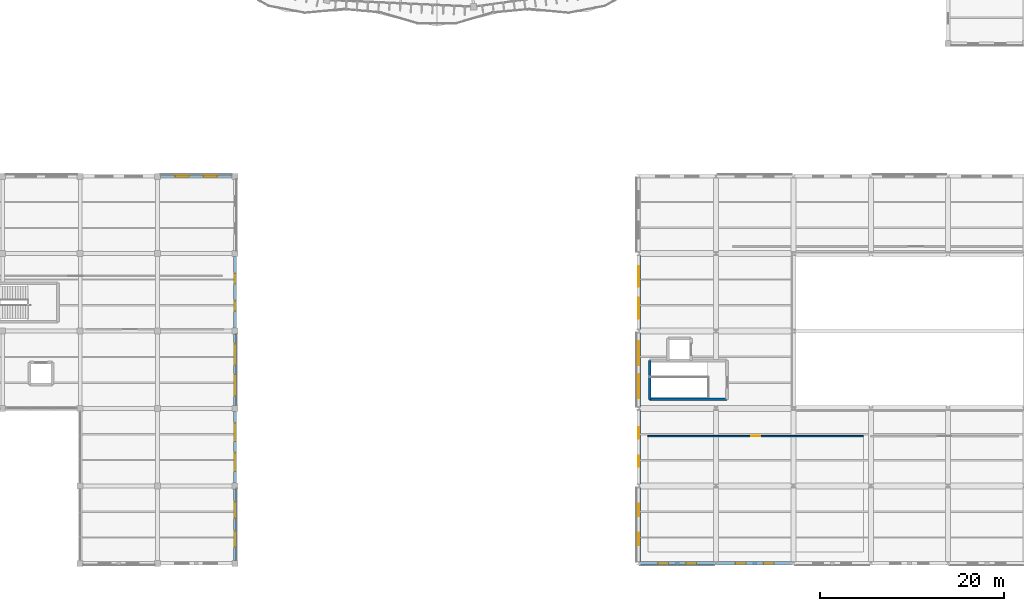
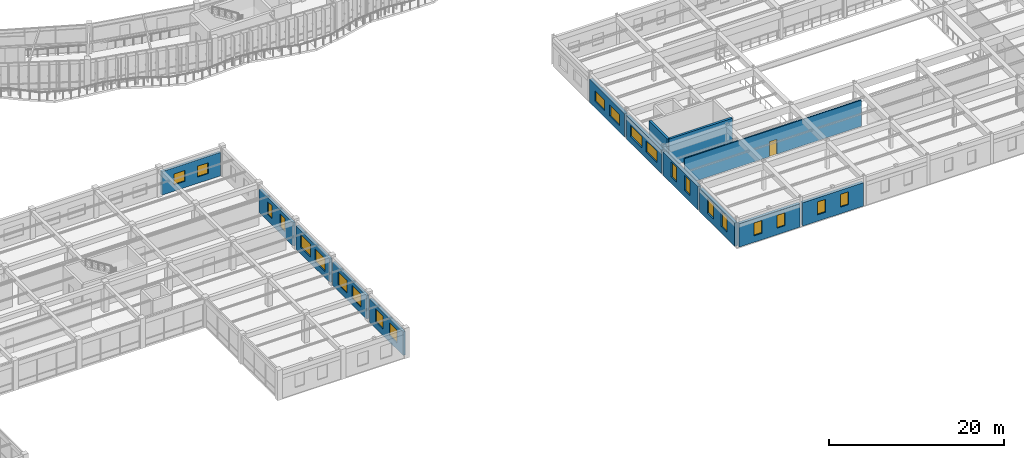
# One storey, part 111 of 138: 22 windows, 14 walls, 1 door, 23 openings.
"""IFC4 building model written with IfcOpenShell, lengths in metres."""

from ifc_helpers import new_model, si_unit, direction, frame, frame_2d, origin, place, context, subcontext, project, spatial, rectangle, extrude, material, layer, layer_set, type_object, element, fill, save


model = new_model("IFC4")

# Units and contexts
model_context = context("Model", 3, precision=1e-05, world=origin(), true_north=direction((0.0, 1.0)))
body_context = subcontext(model_context, "Body", "Model", "MODEL_VIEW")
ifc_project = project(units=[si_unit("LENGTHUNIT", "METRE"), si_unit("AREAUNIT", "SQUARE_METRE"), si_unit("VOLUMEUNIT", "CUBIC_METRE"), si_unit("PLANEANGLEUNIT", "RADIAN"), si_unit("MASSUNIT", "GRAM", prefix="KILO"), si_unit("THERMODYNAMICTEMPERATUREUNIT", "KELVIN"), si_unit("POWERUNIT", "WATT")], contexts=[model_context])

# Site, building, storey
site_placement = place(None, origin())
site = spatial("IfcSite", under=ifc_project, at=site_placement, CompositionType="ELEMENT")
building_placement = place(site_placement, origin())
building = spatial("IfcBuilding", under=site, at=building_placement, Name="Darbajah Civic Hall", CompositionType="ELEMENT")
storey_placement = place(building_placement, frame((0.0, 0.0, 9.60009765625)))
storey = spatial("IfcBuildingStorey", under=building, at=storey_placement, Name="L02", CompositionType="ELEMENT", Elevation=9.60009765625)

# Walls
ifc_material_1 = material(Name="Concrete C45/55", Category="concrete")
ifc_layer_1 = layer(ifc_material_1, 0.300048828125, Name="Concrete C45/55")
ifc_layer_set_1 = layer_set([ifc_layer_1], Name="Concrete C45/55")
wall_type_1 = type_object("IfcWallType", Name="Core Shear Wall 300mm", PredefinedType="SHEAR", material=ifc_layer_set_1)
wall_1_placement = place(storey_placement, frame((112.199951171875, 17.800048828125, 0.0), z_axis=(0.0, 0.0, 1.0), x_axis=(1.0, 0.0, 0.0)))
element("IfcWall", 1, at=wall_1_placement, inside=storey, type_object=wall_type_1, Name="L02 core C06 shear wall S", PredefinedType="SHEAR", context=body_context, shape_type="SweptSolid", body=[
    extrude(rectangle(XDim=8.400146484375, YDim=0.300048828125, at=frame_2d((4.2001953125, 0.0))), origin(), (0.0, 0.0, 1.0), 3.919921875),
])
wall_2_placement = place(storey_placement, frame((112.199951171875, 22.0, 0.0), z_axis=(0.0, 0.0, 1.0), x_axis=(0.0, -1.0, 0.0)))
element("IfcWall", 2, at=wall_2_placement, inside=storey, type_object=wall_type_1, Name="L02 core C06 shear wall W", PredefinedType="SHEAR", context=body_context, shape_type="SweptSolid", body=[
    extrude(rectangle(XDim=4.199951171875, YDim=0.300048828125, at=frame_2d((2.10009765625, 0.0))), origin(), (0.0, 0.0, 1.0), 3.919921875),
])

# Wall, openings, windows
ifc_material_2 = material(Name="Red Dholpur Sandstone Cladding", Category="masonry")
ifc_layer_2 = layer(ifc_material_2, 0.31005859375, Name="Red Dholpur Sandstone Cladding")
ifc_layer_set_2 = layer_set([ifc_layer_2], Name="Red Dholpur Sandstone Cladding")
wall_type_2 = type_object("IfcWallType", Name="Exterior Wall 310mm", PredefinedType="SOLIDWALL", material=ifc_layer_set_2)
wall_3_placement = place(storey_placement, frame((67.199951171875, 0.326904296875, 0.0), z_axis=(0.0, 0.0, 1.0), x_axis=(0.0, 1.0, 0.0)))
wall_3 = element("IfcWall", 3, at=wall_3_placement, inside=storey, type_object=wall_type_2, Name="L02 exterior wall EW-310", PredefinedType="SOLIDWALL", context=body_context, shape_type="SweptSolid", body=[
    extrude(rectangle(XDim=7.74609375, YDim=0.31005859375, at=frame_2d((3.873046875, 0.0))), origin(), (0.0, 0.0, 1.0), 3.289794921875),
])
opening_1_placement = place(wall_3_placement, frame((1.415283203125, 0.0, 0.89990234375)))
opening_1 = element("IfcOpeningElement", 4, at=opening_1_placement, cuts=wall_3, Name="Opening WN-20", PredefinedType="OPENING", context=body_context, shape_type="SweptSolid", body=[
    extrude(rectangle(XDim=1.75, YDim=1.800048828125, at=frame_2d((0.875, 0.89990234375))), frame((0.0, 0.1650390625, 0.0), z_axis=(0.0, -1.0, 0.0), x_axis=(1.0, 0.0, 0.0)), (0.0, 0.0, 1.0), 0.330078125),
])
opening_2_placement = place(wall_3_placement, frame((4.580810546875, 0.0, 0.89990234375)))
opening_2 = element("IfcOpeningElement", 5, at=opening_2_placement, cuts=wall_3, Name="Opening WN-20", PredefinedType="OPENING", context=body_context, shape_type="SweptSolid", body=[
    extrude(rectangle(XDim=1.75, YDim=1.800048828125, at=frame_2d((0.875, 0.89990234375))), frame((0.0, 0.1650390625, 0.0), z_axis=(0.0, -1.0, 0.0), x_axis=(1.0, 0.0, 0.0)), (0.0, 0.0, 1.0), 0.330078125),
])
ifc_material_3 = material(Name="Low-E Solar Control Double Glazing", Category="glass")
window_type_1 = type_object("IfcWindowType", Name="Facade Window 1750x1800", PartitioningType="DOUBLE_PANEL_VERTICAL", PredefinedType="WINDOW", material=ifc_material_3)
window_1_placement = place(opening_1_placement, origin())
window_1 = element("IfcWindow", 6, at=window_1_placement, inside=storey, type_object=window_type_1, Name="L02 facade window WN-20", OverallHeight=1.800048828125, OverallWidth=1.75, PartitioningType="SINGLE_PANEL", PredefinedType="WINDOW", context=body_context, shape_type="SweptSolid", body=[
    extrude(rectangle(XDim=1.75, YDim=1.800048828125, at=frame_2d((0.875, 0.89990234375))), frame((0.0, 0.030029296875, 0.0), z_axis=(0.0, -1.0, 0.0), x_axis=(1.0, 0.0, 0.0)), (0.0, 0.0, 1.0), 0.06005859375),
])
fill(opening_1, window_1)
window_2_placement = place(opening_2_placement, origin())
window_2 = element("IfcWindow", 7, at=window_2_placement, inside=storey, type_object=window_type_1, Name="L02 facade window WN-20", OverallHeight=1.800048828125, OverallWidth=1.75, PartitioningType="SINGLE_PANEL", PredefinedType="WINDOW", context=body_context, shape_type="SweptSolid", body=[
    extrude(rectangle(XDim=1.75, YDim=1.800048828125, at=frame_2d((0.875, 0.89990234375))), frame((0.0, 0.030029296875, 0.0), z_axis=(0.0, -1.0, 0.0), x_axis=(1.0, 0.0, 0.0)), (0.0, 0.0, 1.0), 0.06005859375),
])
fill(opening_2, window_2)

wall_4_placement = place(storey_placement, frame((67.199951171875, 8.72705078125, 0.0), z_axis=(0.0, 0.0, 1.0), x_axis=(0.0, 1.0, 0.0)))
wall_4 = element("IfcWall", 8, at=wall_4_placement, inside=storey, type_object=wall_type_2, Name="L02 exterior wall EW-310", PredefinedType="SOLIDWALL", context=body_context, shape_type="SweptSolid", body=[
    extrude(rectangle(XDim=7.745849609375, YDim=0.31005859375, at=frame_2d((3.873046875, 0.0))), origin(), (0.0, 0.0, 1.0), 3.289794921875),
])
opening_3_placement = place(wall_4_placement, frame((1.248779296875, 0.0, 0.89990234375)))
opening_3 = element("IfcOpeningElement", 9, at=opening_3_placement, cuts=wall_4, Name="Opening WN-21", PredefinedType="OPENING", context=body_context, shape_type="SweptSolid", body=[
    extrude(rectangle(XDim=2.0, YDim=1.800048828125, at=frame_2d((1.0, 0.89990234375))), frame((0.0, 0.1650390625, 0.0), z_axis=(0.0, -1.0, 0.0), x_axis=(1.0, 0.0, 0.0)), (0.0, 0.0, 1.0), 0.330078125),
])
opening_4_placement = place(wall_4_placement, frame((4.497314453125, 0.0, 0.89990234375)))
opening_4 = element("IfcOpeningElement", 10, at=opening_4_placement, cuts=wall_4, Name="Opening WN-21", PredefinedType="OPENING", context=body_context, shape_type="SweptSolid", body=[
    extrude(rectangle(XDim=2.0, YDim=1.800048828125, at=frame_2d((1.0, 0.89990234375))), frame((0.0, 0.1650390625, 0.0), z_axis=(0.0, -1.0, 0.0), x_axis=(1.0, 0.0, 0.0)), (0.0, 0.0, 1.0), 0.330078125),
])
window_type_2 = type_object("IfcWindowType", Name="Facade Window 2000x1800", PartitioningType="DOUBLE_PANEL_VERTICAL", PredefinedType="WINDOW", material=ifc_material_3)
window_3_placement = place(opening_3_placement, origin())
window_3 = element("IfcWindow", 11, at=window_3_placement, inside=storey, type_object=window_type_2, Name="L02 facade window WN-21", OverallHeight=1.800048828125, OverallWidth=2.0, PartitioningType="SINGLE_PANEL", PredefinedType="WINDOW", context=body_context, shape_type="SweptSolid", body=[
    extrude(rectangle(XDim=2.0, YDim=1.800048828125, at=frame_2d((1.0, 0.89990234375))), frame((0.0, 0.030029296875, 0.0), z_axis=(0.0, -1.0, 0.0), x_axis=(1.0, 0.0, 0.0)), (0.0, 0.0, 1.0), 0.06005859375),
])
fill(opening_3, window_3)
window_4_placement = place(opening_4_placement, origin())
window_4 = element("IfcWindow", 12, at=window_4_placement, inside=storey, type_object=window_type_2, Name="L02 facade window WN-21", OverallHeight=1.800048828125, OverallWidth=2.0, PartitioningType="SINGLE_PANEL", PredefinedType="WINDOW", context=body_context, shape_type="SweptSolid", body=[
    extrude(rectangle(XDim=2.0, YDim=1.800048828125, at=frame_2d((1.0, 0.89990234375))), frame((0.0, 0.030029296875, 0.0), z_axis=(0.0, -1.0, 0.0), x_axis=(1.0, 0.0, 0.0)), (0.0, 0.0, 1.0), 0.06005859375),
])
fill(opening_4, window_4)

wall_5_placement = place(storey_placement, frame((67.199951171875, 17.126953125, 0.0), z_axis=(0.0, 0.0, 1.0), x_axis=(0.0, 1.0, 0.0)))
wall_5 = element("IfcWall", 13, at=wall_5_placement, inside=storey, type_object=wall_type_2, Name="L02 exterior wall EW-310", PredefinedType="SOLIDWALL", context=body_context, shape_type="SweptSolid", body=[
    extrude(rectangle(XDim=7.74609375, YDim=0.31005859375, at=frame_2d((3.873046875, 0.0))), origin(), (0.0, 0.0, 1.0), 3.289794921875),
])
opening_5_placement = place(wall_5_placement, frame((1.048583984375, 0.0, 0.89990234375)))
opening_5 = element("IfcOpeningElement", 14, at=opening_5_placement, cuts=wall_5, Name="Opening WN-22", PredefinedType="OPENING", context=body_context, shape_type="SweptSolid", body=[
    extrude(rectangle(XDim=2.300048828125, YDim=1.800048828125, at=frame_2d((1.14990234375, 0.89990234375))), frame((0.0, 0.1650390625, 0.0), z_axis=(0.0, -1.0, 0.0), x_axis=(1.0, 0.0, 0.0)), (0.0, 0.0, 1.0), 0.330078125),
])
opening_6_placement = place(wall_5_placement, frame((4.397216796875, 0.0, 0.89990234375)))
opening_6 = element("IfcOpeningElement", 15, at=opening_6_placement, cuts=wall_5, Name="Opening WN-22", PredefinedType="OPENING", context=body_context, shape_type="SweptSolid", body=[
    extrude(rectangle(XDim=2.300048828125, YDim=1.800048828125, at=frame_2d((1.14990234375, 0.89990234375))), frame((0.0, 0.1650390625, 0.0), z_axis=(0.0, -1.0, 0.0), x_axis=(1.0, 0.0, 0.0)), (0.0, 0.0, 1.0), 0.330078125),
])
window_type_3 = type_object("IfcWindowType", Name="Facade Window 2300x1800", PartitioningType="DOUBLE_PANEL_VERTICAL", PredefinedType="WINDOW", material=ifc_material_3)
window_5_placement = place(opening_5_placement, origin())
window_5 = element("IfcWindow", 16, at=window_5_placement, inside=storey, type_object=window_type_3, Name="L02 facade window WN-22", OverallHeight=1.800048828125, OverallWidth=2.300048828125, PartitioningType="SINGLE_PANEL", PredefinedType="WINDOW", context=body_context, shape_type="SweptSolid", body=[
    extrude(rectangle(XDim=2.300048828125, YDim=1.800048828125, at=frame_2d((1.14990234375, 0.89990234375))), frame((0.0, 0.030029296875, 0.0), z_axis=(0.0, -1.0, 0.0), x_axis=(1.0, 0.0, 0.0)), (0.0, 0.0, 1.0), 0.06005859375),
])
fill(opening_5, window_5)
window_6_placement = place(opening_6_placement, origin())
window_6 = element("IfcWindow", 17, at=window_6_placement, inside=storey, type_object=window_type_3, Name="L02 facade window WN-22", OverallHeight=1.800048828125, OverallWidth=2.300048828125, PartitioningType="SINGLE_PANEL", PredefinedType="WINDOW", context=body_context, shape_type="SweptSolid", body=[
    extrude(rectangle(XDim=2.300048828125, YDim=1.800048828125, at=frame_2d((1.14990234375, 0.89990234375))), frame((0.0, 0.030029296875, 0.0), z_axis=(0.0, -1.0, 0.0), x_axis=(1.0, 0.0, 0.0)), (0.0, 0.0, 1.0), 0.06005859375),
])
fill(opening_6, window_6)

wall_6_placement = place(storey_placement, frame((67.199951171875, 25.527099609375, 0.0), z_axis=(0.0, 0.0, 1.0), x_axis=(0.0, 1.0, 0.0)))
wall_6 = element("IfcWall", 18, at=wall_6_placement, inside=storey, type_object=wall_type_2, Name="L02 exterior wall EW-310", PredefinedType="SOLIDWALL", context=body_context, shape_type="SweptSolid", body=[
    extrude(rectangle(XDim=7.745849609375, YDim=0.31005859375, at=frame_2d((3.873046875, 0.0))), origin(), (0.0, 0.0, 1.0), 3.289794921875),
])
opening_7_placement = place(wall_6_placement, frame((1.8486328125, 0.0, 0.89990234375)))
opening_7 = element("IfcOpeningElement", 19, at=opening_7_placement, cuts=wall_6, Name="Opening WN-17", PredefinedType="OPENING", context=body_context, shape_type="SweptSolid", body=[
    extrude(rectangle(XDim=1.10009765625, YDim=1.800048828125, at=frame_2d((0.550048828125, 0.89990234375))), frame((0.0, 0.1650390625, 0.0), z_axis=(0.0, -1.0, 0.0), x_axis=(1.0, 0.0, 0.0)), (0.0, 0.0, 1.0), 0.330078125),
])
opening_8_placement = place(wall_6_placement, frame((4.79736328125, 0.0, 0.89990234375)))
opening_8 = element("IfcOpeningElement", 20, at=opening_8_placement, cuts=wall_6, Name="Opening WN-17", PredefinedType="OPENING", context=body_context, shape_type="SweptSolid", body=[
    extrude(rectangle(XDim=1.10009765625, YDim=1.800048828125, at=frame_2d((0.550048828125, 0.89990234375))), frame((0.0, 0.1650390625, 0.0), z_axis=(0.0, -1.0, 0.0), x_axis=(1.0, 0.0, 0.0)), (0.0, 0.0, 1.0), 0.330078125),
])
window_type_4 = type_object("IfcWindowType", Name="Facade Window 1100x1800", PartitioningType="SINGLE_PANEL", PredefinedType="WINDOW", material=ifc_material_3)
window_7_placement = place(opening_7_placement, origin())
window_7 = element("IfcWindow", 21, at=window_7_placement, inside=storey, type_object=window_type_4, Name="L02 facade window WN-17", OverallHeight=1.800048828125, OverallWidth=1.10009765625, PartitioningType="SINGLE_PANEL", PredefinedType="WINDOW", context=body_context, shape_type="SweptSolid", body=[
    extrude(rectangle(XDim=1.10009765625, YDim=1.800048828125, at=frame_2d((0.550048828125, 0.89990234375))), frame((0.0, 0.030029296875, 0.0), z_axis=(0.0, -1.0, 0.0), x_axis=(1.0, 0.0, 0.0)), (0.0, 0.0, 1.0), 0.06005859375),
])
fill(opening_7, window_7)
window_8_placement = place(opening_8_placement, origin())
window_8 = element("IfcWindow", 22, at=window_8_placement, inside=storey, type_object=window_type_4, Name="L02 facade window WN-17", OverallHeight=1.800048828125, OverallWidth=1.10009765625, PartitioningType="SINGLE_PANEL", PredefinedType="WINDOW", context=body_context, shape_type="SweptSolid", body=[
    extrude(rectangle(XDim=1.10009765625, YDim=1.800048828125, at=frame_2d((0.550048828125, 0.89990234375))), frame((0.0, 0.030029296875, 0.0), z_axis=(0.0, -1.0, 0.0), x_axis=(1.0, 0.0, 0.0)), (0.0, 0.0, 1.0), 0.06005859375),
])
fill(opening_8, window_8)

wall_7_placement = place(storey_placement, frame((66.873046875, 42.0, 0.0), z_axis=(0.0, 0.0, 1.0), x_axis=(-1.0, 0.0, 0.0)))
wall_7 = element("IfcWall", 23, at=wall_7_placement, inside=storey, type_object=wall_type_2, Name="L02 exterior wall EW-310", PredefinedType="SOLIDWALL", context=body_context, shape_type="SweptSolid", body=[
    extrude(rectangle(XDim=7.74609375, YDim=0.31005859375, at=frame_2d((3.873046875, 0.0))), origin(), (0.0, 0.0, 1.0), 3.289794921875),
])
opening_9_placement = place(wall_7_placement, frame((1.615234375, 0.0, 0.89990234375)))
opening_9 = element("IfcOpeningElement", 24, at=opening_9_placement, cuts=wall_7, Name="Opening WN-25", PredefinedType="OPENING", context=body_context, shape_type="SweptSolid", body=[
    extrude(rectangle(XDim=1.449951171875, YDim=1.5, at=frame_2d((0.72509765625, 0.75))), frame((0.0, 0.1650390625, 0.0), z_axis=(0.0, -1.0, 0.0), x_axis=(1.0, 0.0, 0.0)), (0.0, 0.0, 1.0), 0.330078125),
])
opening_10_placement = place(wall_7_placement, frame((4.6806640625, 0.0, 0.89990234375)))
opening_10 = element("IfcOpeningElement", 25, at=opening_10_placement, cuts=wall_7, Name="Opening WN-25", PredefinedType="OPENING", context=body_context, shape_type="SweptSolid", body=[
    extrude(rectangle(XDim=1.449951171875, YDim=1.5, at=frame_2d((0.72509765625, 0.75))), frame((0.0, 0.1650390625, 0.0), z_axis=(0.0, -1.0, 0.0), x_axis=(1.0, 0.0, 0.0)), (0.0, 0.0, 1.0), 0.330078125),
])
window_type_5 = type_object("IfcWindowType", Name="Facade Window 1450x1500", PartitioningType="SINGLE_PANEL", PredefinedType="WINDOW", material=ifc_material_3)
window_9_placement = place(opening_9_placement, origin())
window_9 = element("IfcWindow", 26, at=window_9_placement, inside=storey, type_object=window_type_5, Name="L02 facade window WN-25", OverallHeight=1.5, OverallWidth=1.449951171875, PartitioningType="SINGLE_PANEL", PredefinedType="WINDOW", context=body_context, shape_type="SweptSolid", body=[
    extrude(rectangle(XDim=1.449951171875, YDim=1.5, at=frame_2d((0.72509765625, 0.75))), frame((0.0, 0.030029296875, 0.0), z_axis=(0.0, -1.0, 0.0), x_axis=(1.0, 0.0, 0.0)), (0.0, 0.0, 1.0), 0.06005859375),
])
fill(opening_9, window_9)
window_10_placement = place(opening_10_placement, origin())
window_10 = element("IfcWindow", 27, at=window_10_placement, inside=storey, type_object=window_type_5, Name="L02 facade window WN-25", OverallHeight=1.5, OverallWidth=1.449951171875, PartitioningType="SINGLE_PANEL", PredefinedType="WINDOW", context=body_context, shape_type="SweptSolid", body=[
    extrude(rectangle(XDim=1.449951171875, YDim=1.5, at=frame_2d((0.72509765625, 0.75))), frame((0.0, 0.030029296875, 0.0), z_axis=(0.0, -1.0, 0.0), x_axis=(1.0, 0.0, 0.0)), (0.0, 0.0, 1.0), 0.06005859375),
])
fill(opening_10, window_10)

ifc_layer_3 = layer(ifc_material_2, 0.3798828125, Name="Red Dholpur Sandstone Cladding")
ifc_layer_set_3 = layer_set([ifc_layer_3], Name="Red Dholpur Sandstone Cladding")
wall_type_3 = type_object("IfcWallType", Name="Exterior Wall 380mm", PredefinedType="SOLIDWALL", material=ifc_layer_set_3)
wall_8_placement = place(storey_placement, frame((111.188232421875, 0.0, 0.0), z_axis=(0.0, 0.0, 1.0), x_axis=(1.0, 0.0, 0.0)))
wall_8 = element("IfcWall", 28, at=wall_8_placement, inside=storey, type_object=wall_type_3, Name="L02 exterior wall EW-380", PredefinedType="SOLIDWALL", context=body_context, shape_type="SweptSolid", body=[
    extrude(rectangle(XDim=8.0234375, YDim=0.3798828125, at=frame_2d((4.01171875, 0.0))), origin(), (0.0, 0.0, 1.0), 3.27001953125),
])
opening_11_placement = place(wall_8_placement, frame((1.941162109375, 0.0, 0.89990234375)))
opening_11 = element("IfcOpeningElement", 29, at=opening_11_placement, cuts=wall_8, Name="Opening WN-17", PredefinedType="OPENING", context=body_context, shape_type="SweptSolid", body=[
    extrude(rectangle(XDim=1.10009765625, YDim=1.800048828125, at=frame_2d((0.550048828125, 0.89990234375))), frame((0.0, 0.199951171875, 0.0), z_axis=(0.0, -1.0, 0.0), x_axis=(1.0, 0.0, 0.0)), (0.0, 0.0, 1.0), 0.39990234375),
])
opening_12_placement = place(wall_8_placement, frame((4.982421875, 0.0, 0.89990234375)))
opening_12 = element("IfcOpeningElement", 30, at=opening_12_placement, cuts=wall_8, Name="Opening WN-17", PredefinedType="OPENING", context=body_context, shape_type="SweptSolid", body=[
    extrude(rectangle(XDim=1.10009765625, YDim=1.800048828125, at=frame_2d((0.550048828125, 0.89990234375))), frame((0.0, 0.199951171875, 0.0), z_axis=(0.0, -1.0, 0.0), x_axis=(1.0, 0.0, 0.0)), (0.0, 0.0, 1.0), 0.39990234375),
])
window_11_placement = place(opening_11_placement, origin())
window_11 = element("IfcWindow", 31, at=window_11_placement, inside=storey, type_object=window_type_4, Name="L02 facade window WN-17", OverallHeight=1.800048828125, OverallWidth=1.10009765625, PartitioningType="SINGLE_PANEL", PredefinedType="WINDOW", context=body_context, shape_type="SweptSolid", body=[
    extrude(rectangle(XDim=1.10009765625, YDim=1.800048828125, at=frame_2d((0.550048828125, 0.89990234375))), frame((0.0, 0.030029296875, 0.0), z_axis=(0.0, -1.0, 0.0), x_axis=(1.0, 0.0, 0.0)), (0.0, 0.0, 1.0), 0.06005859375),
])
fill(opening_11, window_11)
window_12_placement = place(opening_12_placement, origin())
window_12 = element("IfcWindow", 32, at=window_12_placement, inside=storey, type_object=window_type_4, Name="L02 facade window WN-17", OverallHeight=1.800048828125, OverallWidth=1.10009765625, PartitioningType="SINGLE_PANEL", PredefinedType="WINDOW", context=body_context, shape_type="SweptSolid", body=[
    extrude(rectangle(XDim=1.10009765625, YDim=1.800048828125, at=frame_2d((0.550048828125, 0.89990234375))), frame((0.0, 0.030029296875, 0.0), z_axis=(0.0, -1.0, 0.0), x_axis=(1.0, 0.0, 0.0)), (0.0, 0.0, 1.0), 0.06005859375),
])
fill(opening_12, window_12)

wall_9_placement = place(storey_placement, frame((119.58837890625, 0.0, 0.0), z_axis=(0.0, 0.0, 1.0), x_axis=(1.0, 0.0, 0.0)))
wall_9 = element("IfcWall", 33, at=wall_9_placement, inside=storey, type_object=wall_type_3, Name="L02 exterior wall EW-380", PredefinedType="SOLIDWALL", context=body_context, shape_type="SweptSolid", body=[
    extrude(rectangle(XDim=8.0234375, YDim=0.3798828125, at=frame_2d((4.01171875, 0.0))), origin(), (0.0, 0.0, 1.0), 3.27001953125),
])
opening_13_placement = place(wall_9_placement, frame((1.941162109375, 0.0, 0.89990234375)))
opening_13 = element("IfcOpeningElement", 34, at=opening_13_placement, cuts=wall_9, Name="Opening WN-17", PredefinedType="OPENING", context=body_context, shape_type="SweptSolid", body=[
    extrude(rectangle(XDim=1.10009765625, YDim=1.800048828125, at=frame_2d((0.550048828125, 0.89990234375))), frame((0.0, 0.199951171875, 0.0), z_axis=(0.0, -1.0, 0.0), x_axis=(1.0, 0.0, 0.0)), (0.0, 0.0, 1.0), 0.39990234375),
])
opening_14_placement = place(wall_9_placement, frame((4.982421875, 0.0, 0.89990234375)))
opening_14 = element("IfcOpeningElement", 35, at=opening_14_placement, cuts=wall_9, Name="Opening WN-17", PredefinedType="OPENING", context=body_context, shape_type="SweptSolid", body=[
    extrude(rectangle(XDim=1.10009765625, YDim=1.800048828125, at=frame_2d((0.550048828125, 0.89990234375))), frame((0.0, 0.199951171875, 0.0), z_axis=(0.0, -1.0, 0.0), x_axis=(1.0, 0.0, 0.0)), (0.0, 0.0, 1.0), 0.39990234375),
])
window_13_placement = place(opening_13_placement, origin())
window_13 = element("IfcWindow", 36, at=window_13_placement, inside=storey, type_object=window_type_4, Name="L02 facade window WN-17", OverallHeight=1.800048828125, OverallWidth=1.10009765625, PartitioningType="SINGLE_PANEL", PredefinedType="WINDOW", context=body_context, shape_type="SweptSolid", body=[
    extrude(rectangle(XDim=1.10009765625, YDim=1.800048828125, at=frame_2d((0.550048828125, 0.89990234375))), frame((0.0, 0.030029296875, 0.0), z_axis=(0.0, -1.0, 0.0), x_axis=(1.0, 0.0, 0.0)), (0.0, 0.0, 1.0), 0.06005859375),
])
fill(opening_13, window_13)
window_14_placement = place(opening_14_placement, origin())
window_14 = element("IfcWindow", 37, at=window_14_placement, inside=storey, type_object=window_type_4, Name="L02 facade window WN-17", OverallHeight=1.800048828125, OverallWidth=1.10009765625, PartitioningType="SINGLE_PANEL", PredefinedType="WINDOW", context=body_context, shape_type="SweptSolid", body=[
    extrude(rectangle(XDim=1.10009765625, YDim=1.800048828125, at=frame_2d((0.550048828125, 0.89990234375))), frame((0.0, 0.030029296875, 0.0), z_axis=(0.0, -1.0, 0.0), x_axis=(1.0, 0.0, 0.0)), (0.0, 0.0, 1.0), 0.06005859375),
])
fill(opening_14, window_14)

wall_10_placement = place(storey_placement, frame((111.0, 33.413818359375, 0.0), z_axis=(0.0, 0.0, 1.0), x_axis=(0.0, -1.0, 0.0)))
wall_10 = element("IfcWall", 38, at=wall_10_placement, inside=storey, type_object=wall_type_3, Name="L02 exterior wall EW-380", PredefinedType="SOLIDWALL", context=body_context, shape_type="SweptSolid", body=[
    extrude(rectangle(XDim=8.02783203125, YDim=0.3798828125, at=frame_2d((4.013916015625, 0.0))), origin(), (0.0, 0.0, 1.0), 3.27001953125),
])
opening_15_placement = place(wall_10_placement, frame((1.17578125, 0.0, 0.89990234375)))
opening_15 = element("IfcOpeningElement", 39, at=opening_15_placement, cuts=wall_10, Name="Opening WN-27", PredefinedType="OPENING", context=body_context, shape_type="SweptSolid", body=[
    extrude(rectangle(XDim=2.25, YDim=1.5, at=frame_2d((1.125, 0.75))), frame((0.0, 0.199951171875, 0.0), z_axis=(0.0, -1.0, 0.0), x_axis=(1.0, 0.0, 0.0)), (0.0, 0.0, 1.0), 0.39990234375),
])
opening_16_placement = place(wall_10_placement, frame((4.601806640625, 0.0, 0.89990234375)))
opening_16 = element("IfcOpeningElement", 40, at=opening_16_placement, cuts=wall_10, Name="Opening WN-27", PredefinedType="OPENING", context=body_context, shape_type="SweptSolid", body=[
    extrude(rectangle(XDim=2.25, YDim=1.5, at=frame_2d((1.125, 0.75))), frame((0.0, 0.199951171875, 0.0), z_axis=(0.0, -1.0, 0.0), x_axis=(1.0, 0.0, 0.0)), (0.0, 0.0, 1.0), 0.39990234375),
])
window_type_6 = type_object("IfcWindowType", Name="Facade Window 2250x1500", PartitioningType="DOUBLE_PANEL_VERTICAL", PredefinedType="WINDOW", material=ifc_material_3)
window_15_placement = place(opening_15_placement, origin())
window_15 = element("IfcWindow", 41, at=window_15_placement, inside=storey, type_object=window_type_6, Name="L02 facade window WN-27", OverallHeight=1.5, OverallWidth=2.25, PartitioningType="SINGLE_PANEL", PredefinedType="WINDOW", context=body_context, shape_type="SweptSolid", body=[
    extrude(rectangle(XDim=2.25, YDim=1.5, at=frame_2d((1.125, 0.75))), frame((0.0, 0.030029296875, 0.0), z_axis=(0.0, -1.0, 0.0), x_axis=(1.0, 0.0, 0.0)), (0.0, 0.0, 1.0), 0.06005859375),
])
fill(opening_15, window_15)
window_16_placement = place(opening_16_placement, origin())
window_16 = element("IfcWindow", 42, at=window_16_placement, inside=storey, type_object=window_type_6, Name="L02 facade window WN-27", OverallHeight=1.5, OverallWidth=2.25, PartitioningType="SINGLE_PANEL", PredefinedType="WINDOW", context=body_context, shape_type="SweptSolid", body=[
    extrude(rectangle(XDim=2.25, YDim=1.5, at=frame_2d((1.125, 0.75))), frame((0.0, 0.030029296875, 0.0), z_axis=(0.0, -1.0, 0.0), x_axis=(1.0, 0.0, 0.0)), (0.0, 0.0, 1.0), 0.06005859375),
])
fill(opening_16, window_16)

wall_11_placement = place(storey_placement, frame((111.0, 25.013916015625, 0.0), z_axis=(0.0, 0.0, 1.0), x_axis=(0.0, -1.0, 0.0)))
wall_11 = element("IfcWall", 43, at=wall_11_placement, inside=storey, type_object=wall_type_3, Name="L02 exterior wall EW-380", PredefinedType="SOLIDWALL", context=body_context, shape_type="SweptSolid", body=[
    extrude(rectangle(XDim=8.02783203125, YDim=0.3798828125, at=frame_2d((4.013916015625, 0.0))), origin(), (0.0, 0.0, 1.0), 3.27001953125),
])
opening_17_placement = place(wall_11_placement, frame((0.942626953125, 0.0, 0.89990234375)))
opening_17 = element("IfcOpeningElement", 44, at=opening_17_placement, cuts=wall_11, Name="Opening WN-28", PredefinedType="OPENING", context=body_context, shape_type="SweptSolid", body=[
    extrude(rectangle(XDim=2.60009765625, YDim=1.60009765625, at=frame_2d((1.300048828125, 0.800048828125))), frame((0.0, 0.199951171875, 0.0), z_axis=(0.0, -1.0, 0.0), x_axis=(1.0, 0.0, 0.0)), (0.0, 0.0, 1.0), 0.39990234375),
])
opening_18_placement = place(wall_11_placement, frame((4.485107421875, 0.0, 0.89990234375)))
opening_18 = element("IfcOpeningElement", 45, at=opening_18_placement, cuts=wall_11, Name="Opening WN-28", PredefinedType="OPENING", context=body_context, shape_type="SweptSolid", body=[
    extrude(rectangle(XDim=2.60009765625, YDim=1.60009765625, at=frame_2d((1.300048828125, 0.800048828125))), frame((0.0, 0.199951171875, 0.0), z_axis=(0.0, -1.0, 0.0), x_axis=(1.0, 0.0, 0.0)), (0.0, 0.0, 1.0), 0.39990234375),
])
window_type_7 = type_object("IfcWindowType", Name="Facade Window 2600x1600", PartitioningType="DOUBLE_PANEL_VERTICAL", PredefinedType="WINDOW", material=ifc_material_3)
window_17_placement = place(opening_17_placement, origin())
window_17 = element("IfcWindow", 46, at=window_17_placement, inside=storey, type_object=window_type_7, Name="L02 facade window WN-28", OverallHeight=1.60009765625, OverallWidth=2.60009765625, PartitioningType="SINGLE_PANEL", PredefinedType="WINDOW", context=body_context, shape_type="SweptSolid", body=[
    extrude(rectangle(XDim=2.60009765625, YDim=1.60009765625, at=frame_2d((1.300048828125, 0.800048828125))), frame((0.0, 0.030029296875, 0.0), z_axis=(0.0, -1.0, 0.0), x_axis=(1.0, 0.0, 0.0)), (0.0, 0.0, 1.0), 0.06005859375),
])
fill(opening_17, window_17)
window_18_placement = place(opening_18_placement, origin())
window_18 = element("IfcWindow", 47, at=window_18_placement, inside=storey, type_object=window_type_7, Name="L02 facade window WN-28", OverallHeight=1.60009765625, OverallWidth=2.60009765625, PartitioningType="SINGLE_PANEL", PredefinedType="WINDOW", context=body_context, shape_type="SweptSolid", body=[
    extrude(rectangle(XDim=2.60009765625, YDim=1.60009765625, at=frame_2d((1.300048828125, 0.800048828125))), frame((0.0, 0.030029296875, 0.0), z_axis=(0.0, -1.0, 0.0), x_axis=(1.0, 0.0, 0.0)), (0.0, 0.0, 1.0), 0.06005859375),
])
fill(opening_18, window_18)

wall_12_placement = place(storey_placement, frame((111.0, 16.614013671875, 0.0), z_axis=(0.0, 0.0, 1.0), x_axis=(0.0, -1.0, 0.0)))
wall_12 = element("IfcWall", 48, at=wall_12_placement, inside=storey, type_object=wall_type_3, Name="L02 exterior wall EW-380", PredefinedType="SOLIDWALL", context=body_context, shape_type="SweptSolid", body=[
    extrude(rectangle(XDim=8.02783203125, YDim=0.3798828125, at=frame_2d((4.013916015625, 0.0))), origin(), (0.0, 0.0, 1.0), 3.27001953125),
])
opening_19_placement = place(wall_12_placement, frame((1.8759765625, 0.0, 0.89990234375)))
opening_19 = element("IfcOpeningElement", 49, at=opening_19_placement, cuts=wall_12, Name="Opening WN-01", PredefinedType="OPENING", context=body_context, shape_type="SweptSolid", body=[
    extrude(rectangle(XDim=1.199951171875, YDim=2.10009765625, at=frame_2d((0.60009765625, 1.050048828125))), frame((0.0, 0.199951171875, 0.0), z_axis=(0.0, -1.0, 0.0), x_axis=(1.0, 0.0, 0.0)), (0.0, 0.0, 1.0), 0.39990234375),
])
opening_20_placement = place(wall_12_placement, frame((4.951904296875, 0.0, 0.89990234375)))
opening_20 = element("IfcOpeningElement", 50, at=opening_20_placement, cuts=wall_12, Name="Opening WN-01", PredefinedType="OPENING", context=body_context, shape_type="SweptSolid", body=[
    extrude(rectangle(XDim=1.199951171875, YDim=2.10009765625, at=frame_2d((0.60009765625, 1.050048828125))), frame((0.0, 0.199951171875, 0.0), z_axis=(0.0, -1.0, 0.0), x_axis=(1.0, 0.0, 0.0)), (0.0, 0.0, 1.0), 0.39990234375),
])
window_type_8 = type_object("IfcWindowType", Name="Facade Window 1200x2100", PartitioningType="SINGLE_PANEL", PredefinedType="WINDOW", material=ifc_material_3)
window_19_placement = place(opening_19_placement, origin())
window_19 = element("IfcWindow", 51, at=window_19_placement, inside=storey, type_object=window_type_8, Name="L02 facade window WN-01", OverallHeight=2.10009765625, OverallWidth=1.199951171875, PartitioningType="SINGLE_PANEL", PredefinedType="WINDOW", context=body_context, shape_type="SweptSolid", body=[
    extrude(rectangle(XDim=1.199951171875, YDim=2.10009765625, at=frame_2d((0.60009765625, 1.050048828125))), frame((0.0, 0.030029296875, 0.0), z_axis=(0.0, -1.0, 0.0), x_axis=(1.0, 0.0, 0.0)), (0.0, 0.0, 1.0), 0.06005859375),
])
fill(opening_19, window_19)
window_20_placement = place(opening_20_placement, origin())
window_20 = element("IfcWindow", 52, at=window_20_placement, inside=storey, type_object=window_type_8, Name="L02 facade window WN-01", OverallHeight=2.10009765625, OverallWidth=1.199951171875, PartitioningType="SINGLE_PANEL", PredefinedType="WINDOW", context=body_context, shape_type="SweptSolid", body=[
    extrude(rectangle(XDim=1.199951171875, YDim=2.10009765625, at=frame_2d((0.60009765625, 1.050048828125))), frame((0.0, 0.030029296875, 0.0), z_axis=(0.0, -1.0, 0.0), x_axis=(1.0, 0.0, 0.0)), (0.0, 0.0, 1.0), 0.06005859375),
])
fill(opening_20, window_20)

wall_13_placement = place(storey_placement, frame((111.0, 8.2138671875, 0.0), z_axis=(0.0, 0.0, 1.0), x_axis=(0.0, -1.0, 0.0)))
wall_13 = element("IfcWall", 53, at=wall_13_placement, inside=storey, type_object=wall_type_3, Name="L02 exterior wall EW-380", PredefinedType="SOLIDWALL", context=body_context, shape_type="SweptSolid", body=[
    extrude(rectangle(XDim=8.02783203125, YDim=0.3798828125, at=frame_2d((4.013916015625, 0.0))), origin(), (0.0, 0.0, 1.0), 3.27001953125),
])
opening_21_placement = place(wall_13_placement, frame((1.77587890625, 0.0, 0.89990234375)))
opening_21 = element("IfcOpeningElement", 54, at=opening_21_placement, cuts=wall_13, Name="Opening WN-02", PredefinedType="OPENING", context=body_context, shape_type="SweptSolid", body=[
    extrude(rectangle(XDim=1.35009765625, YDim=2.10009765625, at=frame_2d((0.675048828125, 1.050048828125))), frame((0.0, 0.199951171875, 0.0), z_axis=(0.0, -1.0, 0.0), x_axis=(1.0, 0.0, 0.0)), (0.0, 0.0, 1.0), 0.39990234375),
])
opening_22_placement = place(wall_13_placement, frame((4.90185546875, 0.0, 0.89990234375)))
opening_22 = element("IfcOpeningElement", 55, at=opening_22_placement, cuts=wall_13, Name="Opening WN-02", PredefinedType="OPENING", context=body_context, shape_type="SweptSolid", body=[
    extrude(rectangle(XDim=1.35009765625, YDim=2.10009765625, at=frame_2d((0.675048828125, 1.050048828125))), frame((0.0, 0.199951171875, 0.0), z_axis=(0.0, -1.0, 0.0), x_axis=(1.0, 0.0, 0.0)), (0.0, 0.0, 1.0), 0.39990234375),
])
window_type_9 = type_object("IfcWindowType", Name="Facade Window 1350x2100", PartitioningType="SINGLE_PANEL", PredefinedType="WINDOW", material=ifc_material_3)
window_21_placement = place(opening_21_placement, origin())
window_21 = element("IfcWindow", 56, at=window_21_placement, inside=storey, type_object=window_type_9, Name="L02 facade window WN-02", OverallHeight=2.10009765625, OverallWidth=1.35009765625, PartitioningType="SINGLE_PANEL", PredefinedType="WINDOW", context=body_context, shape_type="SweptSolid", body=[
    extrude(rectangle(XDim=1.35009765625, YDim=2.10009765625, at=frame_2d((0.675048828125, 1.050048828125))), frame((0.0, 0.030029296875, 0.0), z_axis=(0.0, -1.0, 0.0), x_axis=(1.0, 0.0, 0.0)), (0.0, 0.0, 1.0), 0.06005859375),
])
fill(opening_21, window_21)
window_22_placement = place(opening_22_placement, origin())
window_22 = element("IfcWindow", 57, at=window_22_placement, inside=storey, type_object=window_type_9, Name="L02 facade window WN-02", OverallHeight=2.10009765625, OverallWidth=1.35009765625, PartitioningType="SINGLE_PANEL", PredefinedType="WINDOW", context=body_context, shape_type="SweptSolid", body=[
    extrude(rectangle(XDim=1.35009765625, YDim=2.10009765625, at=frame_2d((0.675048828125, 1.050048828125))), frame((0.0, 0.030029296875, 0.0), z_axis=(0.0, -1.0, 0.0), x_axis=(1.0, 0.0, 0.0)), (0.0, 0.0, 1.0), 0.06005859375),
])
fill(opening_22, window_22)

# Wall, opening, door
ifc_material_4 = material(Name="Gypsum Plasterboard on Steel Stud", Category="steel")
ifc_layer_4 = layer(ifc_material_4, 0.159912109375, Name="Gypsum Plasterboard on Steel Stud")
ifc_layer_set_4 = layer_set([ifc_layer_4], Name="Gypsum Plasterboard on Steel Stud")
wall_type_4 = type_object("IfcWallType", Name="Interior Partition 160mm", PredefinedType="PARTITIONING", material=ifc_layer_set_4)
wall_14_placement = place(storey_placement, frame((112.0, 13.800048828125, 0.0), z_axis=(0.0, 0.0, 1.0), x_axis=(1.0, 0.0, 0.0)))
wall_14 = element("IfcWall", 58, at=wall_14_placement, inside=storey, type_object=wall_type_4, Name="L02 interior partition L02-V3-01", PredefinedType="PARTITIONING", context=body_context, shape_type="SweptSolid", body=[
    extrude(rectangle(XDim=23.39990234375, YDim=0.159912109375, at=frame_2d((11.699951171875, 0.0))), origin(), (0.0, 0.0, 1.0), 3.663818359375),
])
opening_23_placement = place(wall_14_placement, frame((11.199951171875, 0.0, 0.0)))
opening_23 = element("IfcOpeningElement", 59, at=opening_23_placement, cuts=wall_14, Name="Opening D-0209", PredefinedType="OPENING", context=body_context, shape_type="SweptSolid", body=[
    extrude(rectangle(XDim=1.0, YDim=2.10009765625, at=frame_2d((0.5, 1.050048828125))), frame((0.0, 0.08984375, 0.0), z_axis=(0.0, -1.0, 0.0), x_axis=(1.0, 0.0, 0.0)), (0.0, 0.0, 1.0), 0.179931640625),
])
ifc_material_5 = material(Name="Oak Suite Door")
door_type = type_object("IfcDoorType", Name="Interior Door 1000x2100", OperationType="NOTDEFINED", PredefinedType="DOOR", material=ifc_material_5)
door_placement = place(opening_23_placement, origin())
door = element("IfcDoor", 60, at=door_placement, inside=storey, type_object=door_type, Name="L02 L02-V3-01 door D-0209", OperationType="SINGLE_SWING_RIGHT", OverallHeight=2.10009765625, OverallWidth=1.0, PredefinedType="DOOR", context=body_context, shape_type="SweptSolid", body=[
    extrude(rectangle(XDim=1.0, YDim=2.10009765625, at=frame_2d((0.5, 1.050048828125))), frame((0.0, 0.02490234375, 0.0), z_axis=(0.0, -1.0, 0.0), x_axis=(1.0, 0.0, 0.0)), (0.0, 0.0, 1.0), 0.050048828125),
])
fill(opening_23, door)

save(model, "model.ifc")
